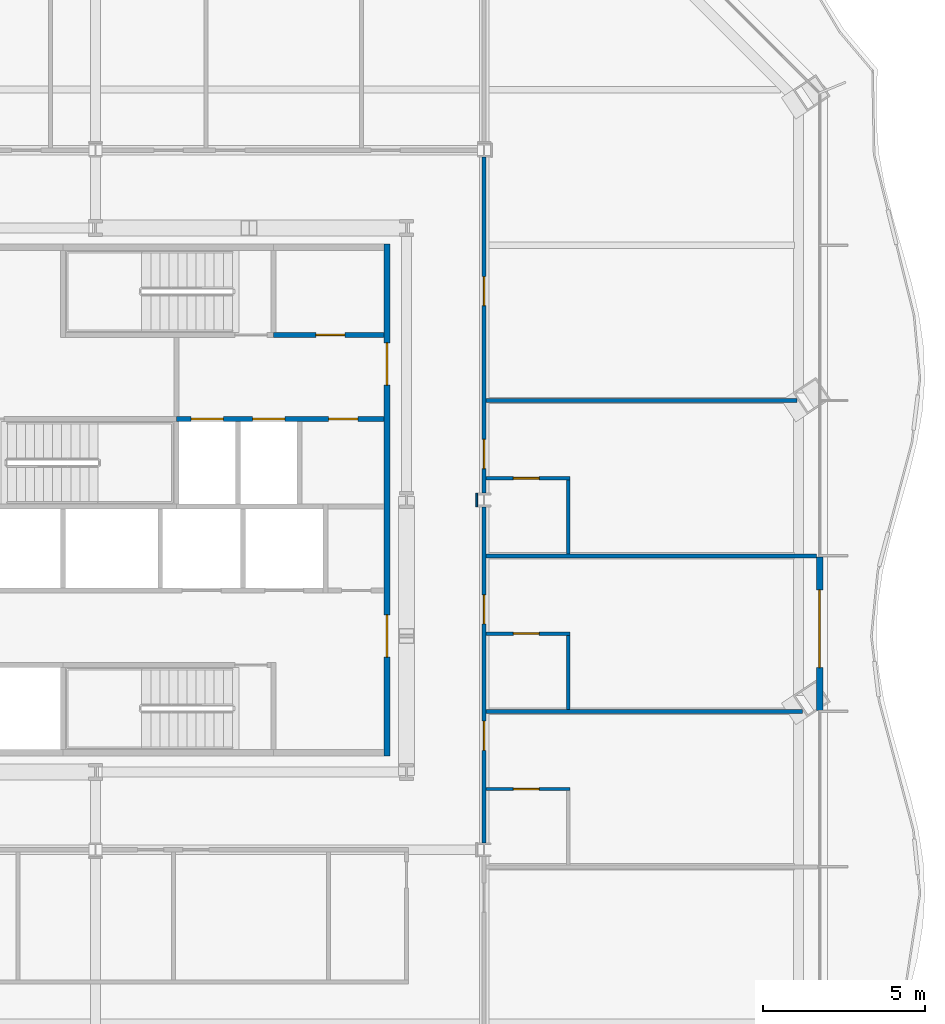
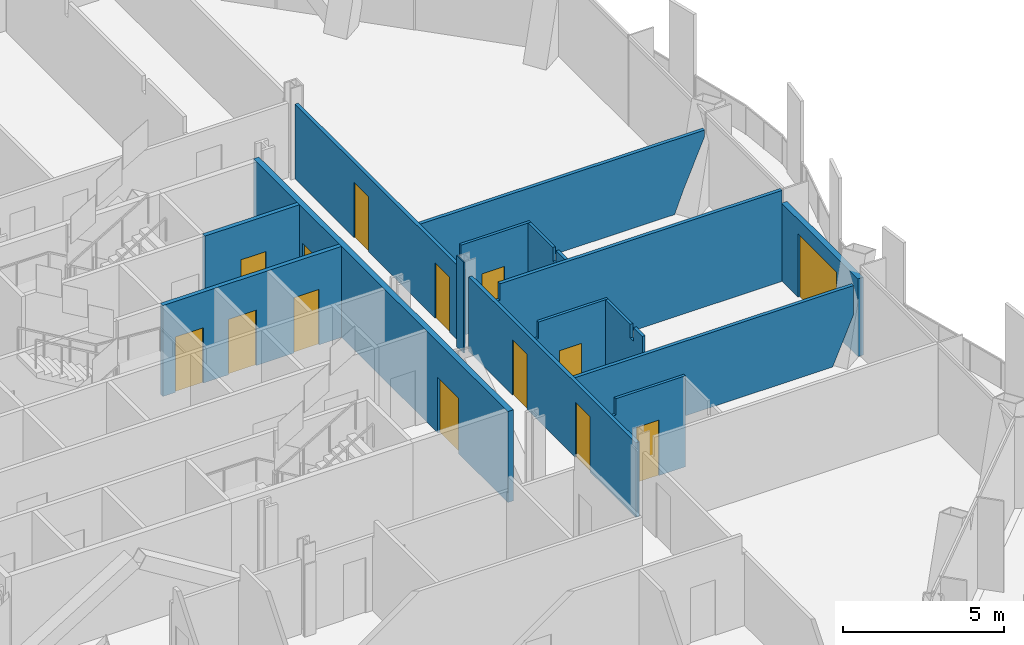
# One storey, part 10 of 17: 15 walls, 14 doors, 14 openings.
"""IFC4 building model written with IfcOpenShell, lengths in metres."""

from ifc_helpers import new_model, si_unit, direction, frame, frame_2d, origin, place, context, subcontext, project, spatial, polyline, rectangle, outline, extrude, material, layer, layer_set, type_object, element, fill, save


model = new_model("IFC4")

# Units and contexts
model_context = context("Model", 3, precision=1e-05, world=origin(), true_north=direction((0.0, 1.0)))
body_context = subcontext(model_context, "Body", "Model", "MODEL_VIEW")
ifc_project = project(units=[si_unit("LENGTHUNIT", "METRE"), si_unit("AREAUNIT", "SQUARE_METRE"), si_unit("VOLUMEUNIT", "CUBIC_METRE"), si_unit("PLANEANGLEUNIT", "RADIAN"), si_unit("MASSUNIT", "GRAM", prefix="KILO")], contexts=[model_context])

# Site, building, storey
site_placement = place(None, origin())
site = spatial("IfcSite", under=ifc_project, at=site_placement, CompositionType="ELEMENT")
building_placement = place(site_placement, origin())
building = spatial("IfcBuilding", under=site, at=building_placement, Name="Cairn Pilgrim Tower", CompositionType="ELEMENT")
storey_placement = place(building_placement, frame((0.0, 0.0, 94.199951171875)))
storey = spatial("IfcBuildingStorey", under=building, at=storey_placement, Name="L22", CompositionType="ELEMENT", Elevation=94.199951171875)

# Wall, opening, door
ifc_material_1 = material(Name="Bronze anodised aluminium insulated sandwich panel with mineral wool fill", Category="aluminium")
ifc_layer_1 = layer(ifc_material_1, 0.199951171875)
ifc_layer_set_1 = layer_set([ifc_layer_1], Name="BRONZE INFILL FRAME WALL 200")
wall_type_1 = type_object("IfcWallType", Name="BRONZE INFILL FRAME WALL 200", PredefinedType="NOTDEFINED", material=ifc_layer_set_1)
wall_1_placement = place(storey_placement, frame((29.558349609375, -4.09765625, 0.0), z_axis=(0.0, 0.0, 1.0), x_axis=(0.0, 1.0, 0.0)))
wall_1 = element("IfcWall", 1, at=wall_1_placement, inside=storey, type_object=wall_type_1, Name="Bronze infill frame wall IW-E3", PredefinedType="NOTDEFINED", context=body_context, shape_type="SweptSolid", body=[
    extrude(rectangle(XDim=4.739990234375, YDim=0.199951171875, at=frame_2d((2.3701171875, 0.0))), origin(), (0.0, 0.0, 1.0), 2.949951171875),
])
opening_1_placement = place(wall_1_placement, frame((1.31982421875, 0.0, 0.0)))
opening_1 = element("IfcOpeningElement", 2, at=opening_1_placement, cuts=wall_1, Name="Opening 2226B", PredefinedType="OPENING", context=body_context, shape_type="SweptSolid", body=[
    extrude(rectangle(XDim=2.39990234375, YDim=2.39990234375, at=frame_2d((1.199951171875, 1.199951171875))), frame((0.0, 0.10986328125, 0.0), z_axis=(0.0, -1.0, 0.0), x_axis=(1.0, 0.0, 0.0)), (0.0, 0.0, 1.0), 0.219970703125),
])
ifc_material_2 = material(Name="Bronze anodised aluminium frame with tinted low-E glass", Category="aluminium")
door_type_1 = type_object("IfcDoorType", Name="BALCONY SLIDING DOOR 2400x2400", OperationType="DOUBLE_DOOR_SLIDING", PredefinedType="DOOR", material=ifc_material_2)
door_1_placement = place(opening_1_placement, origin())
door_1 = element("IfcDoor", 3, at=door_1_placement, inside=storey, type_object=door_type_1, Name="Balcony sliding door 2226B", OperationType="SINGLE_SWING_LEFT", OverallHeight=2.39990234375, OverallWidth=2.39990234375, PredefinedType="DOOR", context=body_context, shape_type="SweptSolid", body=[
    extrude(rectangle(XDim=2.39990234375, YDim=2.39990234375, at=frame_2d((1.199951171875, 1.199951171875))), frame((0.0, 0.02490234375, 0.0), z_axis=(0.0, -1.0, 0.0), x_axis=(1.0, 0.0, 0.0)), (0.0, 0.0, 1.0), 0.050048828125),
])
fill(opening_1, door_1)

# Wall, openings, doors
ifc_material_3 = material(Name="Concrete C32/40", Category="concrete")
ifc_layer_2 = layer(ifc_material_3, 0.199951171875)
ifc_layer_set_2 = layer_set([ifc_layer_2], Name="CORE OUTER WALL 200 EI 120")
wall_type_2 = type_object("IfcWallType", Name="CORE OUTER WALL 200 EI 120", PredefinedType="SOLIDWALL", material=ifc_layer_set_2)
wall_2_placement = place(storey_placement, frame((16.199951171875, -5.5, 0.0), z_axis=(0.0, 0.0, 1.0), x_axis=(0.0, 1.0, 0.0)))
wall_2 = element("IfcWall", 4, at=wall_2_placement, inside=storey, type_object=wall_type_2, Name="CW:L22:V34", PredefinedType="SOLIDWALL", context=body_context, shape_type="SweptSolid", body=[
    extrude(rectangle(XDim=15.800048828125, YDim=0.199951171875, at=frame_2d((7.89990234375, 0.0))), origin(), (0.0, 0.0, 1.0), 3.449951171875),
])
opening_2_placement = place(wall_2_placement, frame((3.050048828125, 0.0, 0.0)))
opening_2 = element("IfcOpeningElement", 5, at=opening_2_placement, cuts=wall_2, Name="Opening CD-E1", PredefinedType="OPENING", context=body_context, shape_type="SweptSolid", body=[
    extrude(rectangle(XDim=1.300048828125, YDim=2.10009765625, at=frame_2d((0.64990234375, 1.050048828125))), frame((0.0, 0.10986328125, 0.0), z_axis=(0.0, -1.0, 0.0), x_axis=(1.0, 0.0, 0.0)), (0.0, 0.0, 1.0), 0.219970703125),
])
opening_3_placement = place(wall_2_placement, frame((11.449951171875, 0.0, 0.0)))
opening_3 = element("IfcOpeningElement", 6, at=opening_3_placement, cuts=wall_2, Name="Opening CD-E2", PredefinedType="OPENING", context=body_context, shape_type="SweptSolid", body=[
    extrude(rectangle(XDim=1.300048828125, YDim=2.10009765625, at=frame_2d((0.64990234375, 1.050048828125))), frame((0.0, 0.10986328125, 0.0), z_axis=(0.0, -1.0, 0.0), x_axis=(1.0, 0.0, 0.0)), (0.0, 0.0, 1.0), 0.219970703125),
])
ifc_material_4 = material(Name="Painted steel", Category="steel")
door_type_2 = type_object("IfcDoorType", Name="CORE LOBBY DOOR 1300x2100", OperationType="DOUBLE_DOOR_SINGLE_SWING", PredefinedType="DOOR", material=ifc_material_4)
door_2_placement = place(opening_2_placement, origin())
door_2 = element("IfcDoor", 7, at=door_2_placement, inside=storey, type_object=door_type_2, Name="CD-E1", OperationType="DOUBLE_DOOR_SINGLE_SWING", OverallHeight=2.10009765625, OverallWidth=1.300048828125, PredefinedType="DOOR", context=body_context, shape_type="SweptSolid", body=[
    extrude(rectangle(XDim=1.300048828125, YDim=2.10009765625, at=frame_2d((0.64990234375, 1.050048828125))), frame((0.0, 0.02490234375, 0.0), z_axis=(0.0, -1.0, 0.0), x_axis=(1.0, 0.0, 0.0)), (0.0, 0.0, 1.0), 0.050048828125),
])
fill(opening_2, door_2)
door_3_placement = place(opening_3_placement, origin())
door_3 = element("IfcDoor", 8, at=door_3_placement, inside=storey, type_object=door_type_2, Name="CD-E2", OperationType="DOUBLE_DOOR_SINGLE_SWING", OverallHeight=2.10009765625, OverallWidth=1.300048828125, PredefinedType="DOOR", context=body_context, shape_type="SweptSolid", body=[
    extrude(rectangle(XDim=1.300048828125, YDim=2.10009765625, at=frame_2d((0.64990234375, 1.050048828125))), frame((0.0, 0.02490234375, 0.0), z_axis=(0.0, -1.0, 0.0), x_axis=(1.0, 0.0, 0.0)), (0.0, 0.0, 1.0), 0.050048828125),
])
fill(opening_3, door_3)

ifc_layer_3 = layer(ifc_material_3, 0.14990234375)
ifc_layer_set_3 = layer_set([ifc_layer_3], Name="CORE SHAFT WALL 150 EI 120")
wall_type_3 = type_object("IfcWallType", Name="CORE SHAFT WALL 150 EI 120", PredefinedType="SOLIDWALL", material=ifc_layer_set_3)
wall_3_placement = place(storey_placement, frame((9.699951171875, 4.89990234375, 0.0), z_axis=(0.0, 0.0, 1.0), x_axis=(1.0, 0.0, 0.0)))
wall_3 = element("IfcWall", 9, at=wall_3_placement, inside=storey, type_object=wall_type_3, Name="CW:L22:H08-2", PredefinedType="SOLIDWALL", context=body_context, shape_type="SweptSolid", body=[
    extrude(rectangle(XDim=6.400146484375, YDim=0.14990234375, at=frame_2d((3.2001953125, 0.0))), origin(), (0.0, 0.0, 1.0), 3.449951171875),
])
opening_4_placement = place(wall_3_placement, frame((0.449951171875, 0.0, 0.0)))
opening_4 = element("IfcOpeningElement", 10, at=opening_4_placement, cuts=wall_3, Name="Opening LD-FF1", PredefinedType="OPENING", context=body_context, shape_type="SweptSolid", body=[
    extrude(rectangle(XDim=1.0, YDim=2.10009765625, at=frame_2d((0.5, 1.050048828125))), frame((0.0, 0.0849609375, 0.0), z_axis=(0.0, -1.0, 0.0), x_axis=(1.0, 0.0, 0.0)), (0.0, 0.0, 1.0), 0.169921875),
])
opening_5_placement = place(wall_3_placement, frame((2.35009765625, 0.0, 0.0)))
opening_5 = element("IfcOpeningElement", 11, at=opening_5_placement, cuts=wall_3, Name="Opening LD-FF2", PredefinedType="OPENING", context=body_context, shape_type="SweptSolid", body=[
    extrude(rectangle(XDim=1.0, YDim=2.10009765625, at=frame_2d((0.5, 1.050048828125))), frame((0.0, 0.0849609375, 0.0), z_axis=(0.0, -1.0, 0.0), x_axis=(1.0, 0.0, 0.0)), (0.0, 0.0, 1.0), 0.169921875),
])
opening_6_placement = place(wall_3_placement, frame((4.699951171875, 0.0, 0.0)))
opening_6 = element("IfcOpeningElement", 12, at=opening_6_placement, cuts=wall_3, Name="Opening RD-R3E", PredefinedType="OPENING", context=body_context, shape_type="SweptSolid", body=[
    extrude(rectangle(XDim=0.89990234375, YDim=2.10009765625, at=frame_2d((0.449951171875, 1.050048828125))), frame((0.0, 0.0849609375, 0.0), z_axis=(0.0, -1.0, 0.0), x_axis=(1.0, 0.0, 0.0)), (0.0, 0.0, 1.0), 0.169921875),
])
ifc_material_5 = material(Name="Stainless steel", Category="steel")
door_type_3 = type_object("IfcDoorType", Name="LIFT LANDING DOOR FIRE 1000x2100", OperationType="DOUBLE_DOOR_SLIDING", PredefinedType="DOOR", material=ifc_material_5)
door_4_placement = place(opening_4_placement, origin())
door_4 = element("IfcDoor", 13, at=door_4_placement, inside=storey, type_object=door_type_3, Name="LANDING DOOR FF1", OperationType="DOUBLE_DOOR_SLIDING", OverallHeight=2.10009765625, OverallWidth=1.0, PredefinedType="DOOR", context=body_context, shape_type="SweptSolid", body=[
    extrude(rectangle(XDim=1.0, YDim=2.10009765625, at=frame_2d((0.5, 1.050048828125))), frame((0.0, 0.02490234375, 0.0), z_axis=(0.0, -1.0, 0.0), x_axis=(1.0, 0.0, 0.0)), (0.0, 0.0, 1.0), 0.050048828125),
])
fill(opening_4, door_4)
door_5_placement = place(opening_5_placement, origin())
door_5 = element("IfcDoor", 14, at=door_5_placement, inside=storey, type_object=door_type_3, Name="LANDING DOOR FF2", OperationType="DOUBLE_DOOR_SLIDING", OverallHeight=2.10009765625, OverallWidth=1.0, PredefinedType="DOOR", context=body_context, shape_type="SweptSolid", body=[
    extrude(rectangle(XDim=1.0, YDim=2.10009765625, at=frame_2d((0.5, 1.050048828125))), frame((0.0, 0.02490234375, 0.0), z_axis=(0.0, -1.0, 0.0), x_axis=(1.0, 0.0, 0.0)), (0.0, 0.0, 1.0), 0.050048828125),
])
fill(opening_5, door_5)
door_type_4 = type_object("IfcDoorType", Name="SERVICE ROOM DOOR 900x2100", OperationType="SINGLE_SWING_LEFT", PredefinedType="DOOR", material=ifc_material_4)
door_6_placement = place(opening_6_placement, origin())
door_6 = element("IfcDoor", 15, at=door_6_placement, inside=storey, type_object=door_type_4, Name="RD-R3E", OperationType="SINGLE_SWING_RIGHT", OverallHeight=2.10009765625, OverallWidth=0.89990234375, PredefinedType="DOOR", context=body_context, shape_type="SweptSolid", body=[
    extrude(rectangle(XDim=0.89990234375, YDim=2.10009765625, at=frame_2d((0.449951171875, 1.050048828125))), frame((0.0, 0.02490234375, 0.0), z_axis=(0.0, -1.0, 0.0), x_axis=(1.0, 0.0, 0.0)), (0.0, 0.0, 1.0), 0.050048828125),
])
fill(opening_6, door_6)

# Wall, opening, door
wall_4_placement = place(storey_placement, frame((12.699951171875, 7.5, 0.0), z_axis=(0.0, 0.0, 1.0), x_axis=(1.0, 0.0, 0.0)))
wall_4 = element("IfcWall", 16, at=wall_4_placement, inside=storey, type_object=wall_type_3, Name="CW:L22:H10-2", PredefinedType="SOLIDWALL", context=body_context, shape_type="SweptSolid", body=[
    extrude(rectangle(XDim=3.400146484375, YDim=0.14990234375, at=frame_2d((1.7001953125, 0.0))), origin(), (0.0, 0.0, 1.0), 3.449951171875),
])
opening_7_placement = place(wall_4_placement, frame((1.300048828125, 0.0, 0.0)))
opening_7 = element("IfcOpeningElement", 17, at=opening_7_placement, cuts=wall_4, Name="Opening RD-R4E", PredefinedType="OPENING", context=body_context, shape_type="SweptSolid", body=[
    extrude(rectangle(XDim=0.89990234375, YDim=2.10009765625, at=frame_2d((0.449951171875, 1.050048828125))), frame((0.0, 0.0849609375, 0.0), z_axis=(0.0, -1.0, 0.0), x_axis=(1.0, 0.0, 0.0)), (0.0, 0.0, 1.0), 0.169921875),
])
door_7_placement = place(opening_7_placement, origin())
door_7 = element("IfcDoor", 18, at=door_7_placement, inside=storey, type_object=door_type_4, Name="RD-R4E", OperationType="SINGLE_SWING_LEFT", OverallHeight=2.10009765625, OverallWidth=0.89990234375, PredefinedType="DOOR", context=body_context, shape_type="SweptSolid", body=[
    extrude(rectangle(XDim=0.89990234375, YDim=2.10009765625, at=frame_2d((0.449951171875, 1.050048828125))), frame((0.0, 0.02490234375, 0.0), z_axis=(0.0, -1.0, 0.0), x_axis=(1.0, 0.0, 0.0)), (0.0, 0.0, 1.0), 0.050048828125),
])
fill(opening_7, door_7)

ifc_material_6 = material(Name="Gypsum partition")
ifc_layer_4 = layer(ifc_material_6, 0.10009765625)
ifc_layer_set_4 = layer_set([ifc_layer_4], Name="PARTITION 100 DRYWALL")
wall_type_4 = type_object("IfcWallType", Name="PARTITION 100 DRYWALL", PredefinedType="PARTITIONING", material=ifc_layer_set_4)
wall_5_placement = place(storey_placement, frame((19.262451171875, -6.528076171875, 0.0), z_axis=(0.0, 0.0, 1.0), x_axis=(1.0, 0.0, 0.0)))
wall_5 = element("IfcWall", 19, at=wall_5_placement, inside=storey, type_object=wall_type_4, Name="PARTITION W048", PredefinedType="PARTITIONING", context=body_context, shape_type="SweptSolid", body=[
    extrude(outline(polyline([(0.0, 0.0), (2.587646484375, 0.0), (2.58740234375, 3.449951171875), (0.08740234375, 3.449951171875), (0.08544921875, 2.830078125), (0.0, 2.830078125), (0.0, 0.0)])), frame((0.0, 0.050048828125, 0.0), z_axis=(0.0, -1.0, 0.0), x_axis=(1.0, 0.0, 0.0)), (0.0, 0.0, 1.0), 0.10009765625),
])
opening_8_placement = place(wall_5_placement, frame((0.83740234375, 0.0, 0.0)))
opening_8 = element("IfcOpeningElement", 20, at=opening_8_placement, cuts=wall_5, Name="Opening 2225E", PredefinedType="OPENING", context=body_context, shape_type="SweptSolid", body=[
    extrude(rectangle(XDim=0.800048828125, YDim=2.10009765625, at=frame_2d((0.39990234375, 1.050048828125))), frame((0.0, 0.06005859375, 0.0), z_axis=(0.0, -1.0, 0.0), x_axis=(1.0, 0.0, 0.0)), (0.0, 0.0, 1.0), 0.1201171875),
])
ifc_material_7 = material(Name="Timber door leaf", Category="wood")
door_type_5 = type_object("IfcDoorType", Name="DOOR 800x2100", OperationType="NOTDEFINED", PredefinedType="DOOR", material=ifc_material_7)
door_8_placement = place(opening_8_placement, frame((0.800048828125, 0.0, 0.0), z_axis=(0.0, 0.0, 1.0), x_axis=(-1.0, 0.0, 0.0)))
door_8 = element("IfcDoor", 21, at=door_8_placement, inside=storey, type_object=door_type_5, Name="DOOR 2225E", OperationType="SINGLE_SWING_RIGHT", OverallHeight=2.10009765625, OverallWidth=0.800048828125, PredefinedType="DOOR", context=body_context, shape_type="SweptSolid", body=[
    extrude(rectangle(XDim=0.800048828125, YDim=2.10009765625, at=frame_2d((0.39990234375, 1.050048828125))), frame((0.0, 0.02490234375, 0.0), z_axis=(0.0, -1.0, 0.0), x_axis=(1.0, 0.0, 0.0)), (0.0, 0.0, 1.0), 0.050048828125),
])
fill(opening_8, door_8)

# Wall
wall_6_placement = place(storey_placement, frame((21.800048828125, -4.0654296875, 0.0), z_axis=(0.0, 0.0, 1.0), x_axis=(0.0, 1.0, 0.0)))
element("IfcWall", 22, at=wall_6_placement, inside=storey, type_object=wall_type_4, Name="PARTITION W053", PredefinedType="PARTITIONING", context=body_context, shape_type="SweptSolid", body=[
    extrude(outline(polyline([(0.0, 0.0), (2.287353515625, 0.0), (2.28759765625, 3.449951171875), (0.7568359375, 3.449951171875), (0.7548828125, 2.929931640625), (0.556884765625, 2.929931640625), (0.554931640625, 3.449951171875), (0.0, 3.449951171875), (0.0, 0.0)])), frame((0.0, 0.050048828125, 0.0), z_axis=(0.0, -1.0, 0.0), x_axis=(1.0, 0.0, 0.0)), (0.0, 0.0, 1.0), 0.10009765625),
])

# Wall, opening, door
wall_7_placement = place(storey_placement, frame((19.262451171875, -1.72802734375, 0.0), z_axis=(0.0, 0.0, 1.0), x_axis=(1.0, 0.0, 0.0)))
wall_7 = element("IfcWall", 23, at=wall_7_placement, inside=storey, type_object=wall_type_4, Name="PARTITION W058", PredefinedType="PARTITIONING", context=body_context, shape_type="SweptSolid", body=[
    extrude(outline(polyline([(0.0, 0.0), (2.587646484375, 0.0), (2.58740234375, 3.449951171875), (0.08740234375, 3.449951171875), (0.08544921875, 2.830078125), (0.0, 2.830078125), (0.0, 0.0)])), frame((0.0, 0.050048828125, 0.0), z_axis=(0.0, -1.0, 0.0), x_axis=(1.0, 0.0, 0.0)), (0.0, 0.0, 1.0), 0.10009765625),
])
opening_9_placement = place(wall_7_placement, frame((0.83740234375, 0.0, 0.0)))
opening_9 = element("IfcOpeningElement", 24, at=opening_9_placement, cuts=wall_7, Name="Opening 2226E", PredefinedType="OPENING", context=body_context, shape_type="SweptSolid", body=[
    extrude(rectangle(XDim=0.800048828125, YDim=2.10009765625, at=frame_2d((0.39990234375, 1.050048828125))), frame((0.0, 0.06005859375, 0.0), z_axis=(0.0, -1.0, 0.0), x_axis=(1.0, 0.0, 0.0)), (0.0, 0.0, 1.0), 0.1201171875),
])
door_9_placement = place(opening_9_placement, frame((0.800048828125, 0.0, 0.0), z_axis=(0.0, 0.0, 1.0), x_axis=(-1.0, 0.0, 0.0)))
door_9 = element("IfcDoor", 25, at=door_9_placement, inside=storey, type_object=door_type_5, Name="DOOR 2226E", OperationType="SINGLE_SWING_RIGHT", OverallHeight=2.10009765625, OverallWidth=0.800048828125, PredefinedType="DOOR", context=body_context, shape_type="SweptSolid", body=[
    extrude(rectangle(XDim=0.800048828125, YDim=2.10009765625, at=frame_2d((0.39990234375, 1.050048828125))), frame((0.0, 0.02490234375, 0.0), z_axis=(0.0, -1.0, 0.0), x_axis=(1.0, 0.0, 0.0)), (0.0, 0.0, 1.0), 0.050048828125),
])
fill(opening_9, door_9)

# Wall
wall_8_placement = place(storey_placement, frame((21.800048828125, 0.734619140625, 0.0), z_axis=(0.0, 0.0, 1.0), x_axis=(0.0, 1.0, 0.0)))
element("IfcWall", 26, at=wall_8_placement, inside=storey, type_object=wall_type_4, Name="PARTITION W063", PredefinedType="PARTITIONING", context=body_context, shape_type="SweptSolid", body=[
    extrude(outline(polyline([(0.0, 0.0), (2.287353515625, 0.0), (2.28759765625, 3.449951171875), (0.7568359375, 3.449951171875), (0.7548828125, 2.929931640625), (0.556884765625, 2.929931640625), (0.554931640625, 3.449951171875), (0.0, 3.449951171875), (0.0, 0.0)])), frame((0.0, 0.050048828125, 0.0), z_axis=(0.0, -1.0, 0.0), x_axis=(1.0, 0.0, 0.0)), (0.0, 0.0, 1.0), 0.10009765625),
])

# Wall, opening, door
wall_9_placement = place(storey_placement, frame((19.262451171875, 3.072021484375, 0.0), z_axis=(0.0, 0.0, 1.0), x_axis=(1.0, 0.0, 0.0)))
wall_9 = element("IfcWall", 27, at=wall_9_placement, inside=storey, type_object=wall_type_4, Name="PARTITION W069", PredefinedType="PARTITIONING", context=body_context, shape_type="SweptSolid", body=[
    extrude(outline(polyline([(0.0, 0.0), (2.587646484375, 0.0), (2.58740234375, 3.449951171875), (0.08740234375, 3.449951171875), (0.08544921875, 2.830078125), (0.0, 2.830078125), (0.0, 0.0)])), frame((0.0, 0.050048828125, 0.0), z_axis=(0.0, -1.0, 0.0), x_axis=(1.0, 0.0, 0.0)), (0.0, 0.0, 1.0), 0.10009765625),
])
opening_10_placement = place(wall_9_placement, frame((0.83740234375, 0.0, 0.0)))
opening_10 = element("IfcOpeningElement", 28, at=opening_10_placement, cuts=wall_9, Name="Opening 2227E", PredefinedType="OPENING", context=body_context, shape_type="SweptSolid", body=[
    extrude(rectangle(XDim=0.800048828125, YDim=2.10009765625, at=frame_2d((0.39990234375, 1.050048828125))), frame((0.0, 0.06005859375, 0.0), z_axis=(0.0, -1.0, 0.0), x_axis=(1.0, 0.0, 0.0)), (0.0, 0.0, 1.0), 0.1201171875),
])
door_10_placement = place(opening_10_placement, frame((0.800048828125, 0.0, 0.0), z_axis=(0.0, 0.0, 1.0), x_axis=(-1.0, 0.0, 0.0)))
door_10 = element("IfcDoor", 29, at=door_10_placement, inside=storey, type_object=door_type_5, Name="DOOR 2227E", OperationType="SINGLE_SWING_RIGHT", OverallHeight=2.10009765625, OverallWidth=0.800048828125, PredefinedType="DOOR", context=body_context, shape_type="SweptSolid", body=[
    extrude(rectangle(XDim=0.800048828125, YDim=2.10009765625, at=frame_2d((0.39990234375, 1.050048828125))), frame((0.0, 0.02490234375, 0.0), z_axis=(0.0, -1.0, 0.0), x_axis=(1.0, 0.0, 0.0)), (0.0, 0.0, 1.0), 0.050048828125),
])
fill(opening_10, door_10)

# Wall, openings, doors
ifc_layer_5 = layer(ifc_material_6, 0.125)
ifc_layer_set_5 = layer_set([ifc_layer_5], Name="PARTITION 125 DRYWALL EI 60")
wall_type_5 = type_object("IfcWallType", Name="PARTITION 125 DRYWALL EI 60", PredefinedType="PARTITIONING", material=ifc_layer_set_5)
wall_10_placement = place(storey_placement, frame((19.199951171875, -8.1875, 0.0), z_axis=(0.0, 0.0, 1.0), x_axis=(0.0, 1.0, 0.0)))
wall_10 = element("IfcWall", 30, at=wall_10_placement, inside=storey, type_object=wall_type_5, Name="PARTITION W047", PredefinedType="PARTITIONING", context=body_context, shape_type="SweptSolid", body=[
    extrude(rectangle(XDim=10.375, YDim=0.125, at=frame_2d((5.1875, 0.0))), origin(), (0.0, 0.0, 1.0), 2.830078125),
])
opening_11_placement = place(wall_10_placement, frame((2.859619140625, 0.0, 0.0)))
opening_11 = element("IfcOpeningElement", 31, at=opening_11_placement, cuts=wall_10, Name="Opening 2225", PredefinedType="OPENING", context=body_context, shape_type="SweptSolid", body=[
    extrude(rectangle(XDim=0.89990234375, YDim=2.10009765625, at=frame_2d((0.449951171875, 1.050048828125))), frame((0.0, 0.072509765625, 0.0), z_axis=(0.0, -1.0, 0.0), x_axis=(1.0, 0.0, 0.0)), (0.0, 0.0, 1.0), 0.14501953125),
])
opening_12_placement = place(wall_10_placement, frame((6.759521484375, 0.0, 0.0)))
opening_12 = element("IfcOpeningElement", 32, at=opening_12_placement, cuts=wall_10, Name="Opening 2226", PredefinedType="OPENING", context=body_context, shape_type="SweptSolid", body=[
    extrude(rectangle(XDim=0.89990234375, YDim=2.10009765625, at=frame_2d((0.449951171875, 1.050048828125))), frame((0.0, 0.072509765625, 0.0), z_axis=(0.0, -1.0, 0.0), x_axis=(1.0, 0.0, 0.0)), (0.0, 0.0, 1.0), 0.14501953125),
])
ifc_material_8 = material(Name="Steel-faced fire door leaf", Category="steel")
door_type_6 = type_object("IfcDoorType", Name="FIRE DOOR 900x2100 FD30S", OperationType="NOTDEFINED", PredefinedType="DOOR", material=ifc_material_8)
door_11_placement = place(opening_11_placement, frame((0.89990234375, 0.0, 0.0), z_axis=(0.0, 0.0, 1.0), x_axis=(-1.0, 0.0, 0.0)))
door_11 = element("IfcDoor", 33, at=door_11_placement, inside=storey, type_object=door_type_6, Name="DOOR 2225", OperationType="SINGLE_SWING_LEFT", OverallHeight=2.10009765625, OverallWidth=0.89990234375, PredefinedType="DOOR", context=body_context, shape_type="SweptSolid", body=[
    extrude(rectangle(XDim=0.89990234375, YDim=2.10009765625, at=frame_2d((0.449951171875, 1.050048828125))), frame((0.0, 0.02490234375, 0.0), z_axis=(0.0, -1.0, 0.0), x_axis=(1.0, 0.0, 0.0)), (0.0, 0.0, 1.0), 0.050048828125),
])
fill(opening_11, door_11)
door_12_placement = place(opening_12_placement, frame((0.89990234375, 0.0, 0.0), z_axis=(0.0, 0.0, 1.0), x_axis=(-1.0, 0.0, 0.0)))
door_12 = element("IfcDoor", 34, at=door_12_placement, inside=storey, type_object=door_type_6, Name="DOOR 2226", OperationType="SINGLE_SWING_LEFT", OverallHeight=2.10009765625, OverallWidth=0.89990234375, PredefinedType="DOOR", context=body_context, shape_type="SweptSolid", body=[
    extrude(rectangle(XDim=0.89990234375, YDim=2.10009765625, at=frame_2d((0.449951171875, 1.050048828125))), frame((0.0, 0.02490234375, 0.0), z_axis=(0.0, -1.0, 0.0), x_axis=(1.0, 0.0, 0.0)), (0.0, 0.0, 1.0), 0.050048828125),
])
fill(opening_12, door_12)

# Walls
wall_11_placement = place(storey_placement, frame((19.262451171875, -4.1279296875, 0.0), z_axis=(0.0, 0.0, 1.0), x_axis=(1.0, 0.0, 0.0)))
element("IfcWall", 35, at=wall_11_placement, inside=storey, type_object=wall_type_5, Name="PARTITION W052", PredefinedType="PARTITIONING", context=body_context, shape_type="SweptSolid", body=[
    extrude(outline(polyline([(0.0, 0.0), (9.2412109375, 0.0), (9.614501953125, 0.862548828125), (9.98779296875, 1.72509765625), (9.98779296875, 2.587646484375), (9.98779296875, 2.830078125), (0.0, 2.830078125), (0.0, 2.587646484375), (0.0, 1.72509765625), (0.0, 0.862548828125), (0.0, 0.0)])), frame((0.0, 0.0625, 0.0), z_axis=(0.0, -1.0, 0.0), x_axis=(1.0, 0.0, 0.0)), (0.0, 0.0, 1.0), 0.125),
])
wall_12_placement = place(storey_placement, frame((19.262451171875, 0.672119140625, 0.0), z_axis=(0.0, 0.0, 1.0), x_axis=(1.0, 0.0, 0.0)))
element("IfcWall", 36, at=wall_12_placement, inside=storey, type_object=wall_type_5, Name="PARTITION W062", PredefinedType="PARTITIONING", context=body_context, shape_type="SweptSolid", body=[
    extrude(outline(polyline([(0.0, 0.0), (10.196044921875, 0.0), (10.19580078125, 3.449951171875), (0.08740234375, 3.449951171875), (0.08544921875, 2.830078125), (0.0, 2.830078125), (0.0, 0.0)])), frame((0.0, 0.0625, 0.0), z_axis=(0.0, -1.0, 0.0), x_axis=(1.0, 0.0, 0.0)), (0.0, 0.0, 1.0), 0.125),
])

# Wall, openings, doors
wall_13_placement = place(storey_placement, frame((19.199951171875, 2.612548828125, 0.0), z_axis=(0.0, 0.0, 1.0), x_axis=(0.0, 1.0, 0.0)))
wall_13 = element("IfcWall", 37, at=wall_13_placement, inside=storey, type_object=wall_type_5, Name="PARTITION W068", PredefinedType="PARTITIONING", context=body_context, shape_type="SweptSolid", body=[
    extrude(rectangle(XDim=10.375, YDim=0.125, at=frame_2d((5.1875, 0.0))), origin(), (0.0, 0.0, 1.0), 2.830078125),
])
opening_13_placement = place(wall_13_placement, frame((0.759521484375, 0.0, 0.0)))
opening_13 = element("IfcOpeningElement", 38, at=opening_13_placement, cuts=wall_13, Name="Opening 2227", PredefinedType="OPENING", context=body_context, shape_type="SweptSolid", body=[
    extrude(rectangle(XDim=0.89990234375, YDim=2.10009765625, at=frame_2d((0.449951171875, 1.050048828125))), frame((0.0, 0.072509765625, 0.0), z_axis=(0.0, -1.0, 0.0), x_axis=(1.0, 0.0, 0.0)), (0.0, 0.0, 1.0), 0.14501953125),
])
opening_14_placement = place(wall_13_placement, frame((5.78759765625, 0.0, 0.0)))
opening_14 = element("IfcOpeningElement", 39, at=opening_14_placement, cuts=wall_13, Name="Opening 2228", PredefinedType="OPENING", context=body_context, shape_type="SweptSolid", body=[
    extrude(rectangle(XDim=0.89990234375, YDim=2.10009765625, at=frame_2d((0.449951171875, 1.050048828125))), frame((0.0, 0.072509765625, 0.0), z_axis=(0.0, -1.0, 0.0), x_axis=(1.0, 0.0, 0.0)), (0.0, 0.0, 1.0), 0.14501953125),
])
door_13_placement = place(opening_13_placement, frame((0.89990234375, 0.0, 0.0), z_axis=(0.0, 0.0, 1.0), x_axis=(-1.0, 0.0, 0.0)))
door_13 = element("IfcDoor", 40, at=door_13_placement, inside=storey, type_object=door_type_6, Name="DOOR 2227", OperationType="SINGLE_SWING_LEFT", OverallHeight=2.10009765625, OverallWidth=0.89990234375, PredefinedType="DOOR", context=body_context, shape_type="SweptSolid", body=[
    extrude(rectangle(XDim=0.89990234375, YDim=2.10009765625, at=frame_2d((0.449951171875, 1.050048828125))), frame((0.0, 0.02490234375, 0.0), z_axis=(0.0, -1.0, 0.0), x_axis=(1.0, 0.0, 0.0)), (0.0, 0.0, 1.0), 0.050048828125),
])
fill(opening_13, door_13)
door_14_placement = place(opening_14_placement, frame((0.89990234375, 0.0, 0.0), z_axis=(0.0, 0.0, 1.0), x_axis=(-1.0, 0.0, 0.0)))
door_14 = element("IfcDoor", 41, at=door_14_placement, inside=storey, type_object=door_type_6, Name="DOOR 2228", OperationType="SINGLE_SWING_LEFT", OverallHeight=2.10009765625, OverallWidth=0.89990234375, PredefinedType="DOOR", context=body_context, shape_type="SweptSolid", body=[
    extrude(rectangle(XDim=0.89990234375, YDim=2.10009765625, at=frame_2d((0.449951171875, 1.050048828125))), frame((0.0, 0.02490234375, 0.0), z_axis=(0.0, -1.0, 0.0), x_axis=(1.0, 0.0, 0.0)), (0.0, 0.0, 1.0), 0.050048828125),
])
fill(opening_14, door_14)

# Walls
wall_14_placement = place(storey_placement, frame((19.262451171875, 5.471923828125, 0.0), z_axis=(0.0, 0.0, 1.0), x_axis=(1.0, 0.0, 0.0)))
element("IfcWall", 42, at=wall_14_placement, inside=storey, type_object=wall_type_5, Name="PARTITION W073", PredefinedType="PARTITIONING", context=body_context, shape_type="SweptSolid", body=[
    extrude(outline(polyline([(0.0, 0.0), (9.115234375, 0.0), (9.44873046875, 0.862548828125), (9.822021484375, 1.72509765625), (10.1953125, 2.587646484375), (10.1953125, 2.830078125), (0.0, 2.830078125), (0.0, 2.587646484375), (0.0, 1.72509765625), (0.0, 0.862548828125), (0.0, 0.0)])), frame((0.0, 0.0625, 0.0), z_axis=(0.0, -1.0, 0.0), x_axis=(1.0, 0.0, 0.0)), (0.0, 0.0, 1.0), 0.125),
])
ifc_layer_6 = layer(ifc_material_6, 0.050048828125)
ifc_layer_set_6 = layer_set([ifc_layer_6], Name="PARTITION 50 DRYWALL EI 60")
wall_type_6 = type_object("IfcWallType", Name="PARTITION 50 DRYWALL EI 60", PredefinedType="PARTITIONING", material=ifc_layer_set_6)
wall_15_placement = place(storey_placement, frame((18.970458984375, 2.1875, 0.0), z_axis=(0.0, 0.0, 1.0), x_axis=(0.0, 1.0, 0.0)))
element("IfcWall", 43, at=wall_15_placement, inside=storey, type_object=wall_type_6, Name="COLUMN CASING WC03", PredefinedType="PARTITIONING", context=body_context, shape_type="SweptSolid", body=[
    extrude(rectangle(XDim=0.425048828125, YDim=0.050048828125, at=frame_2d((0.21240234375, 0.0))), origin(), (0.0, 0.0, 1.0), 3.449951171875),
])

save(model, "model.ifc")
